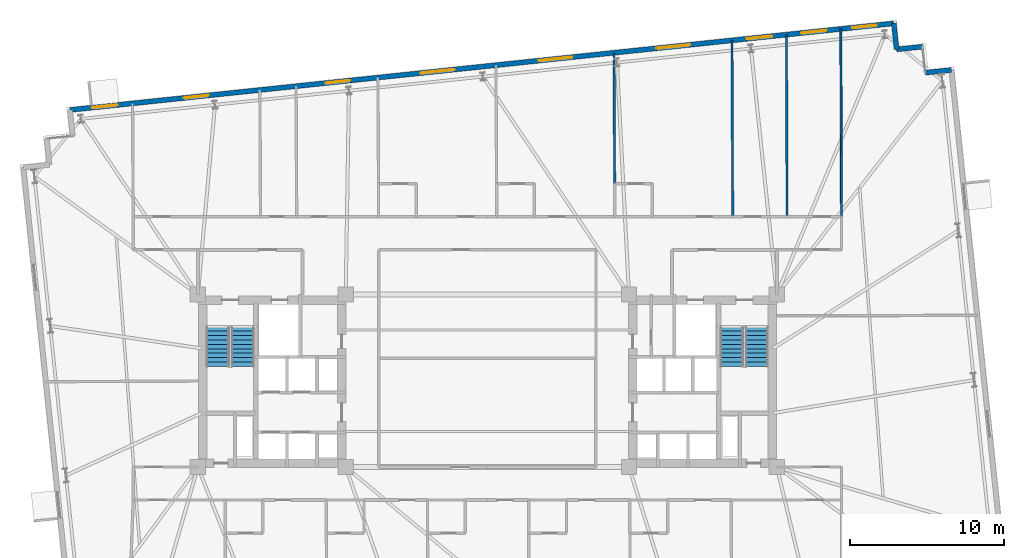
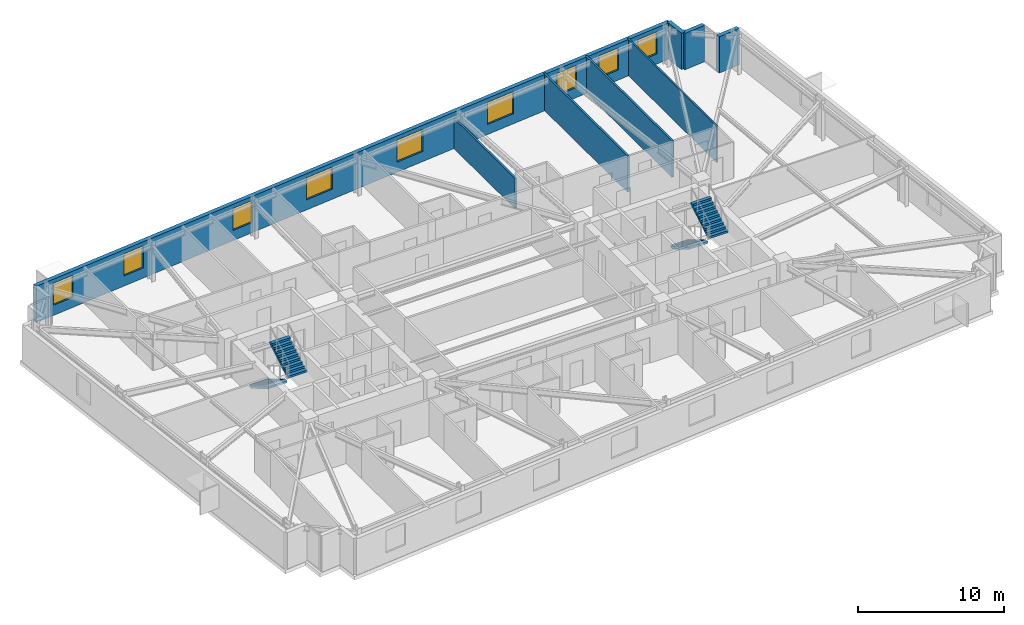
# One storey, part 16 of 18: 9 windows, 8 walls, 4 stair flights, 9 openings, 2 elements without a shape of their own.
"""IFC4 building model written with IfcOpenShell, lengths in metres."""

from ifc_helpers import new_model, si_unit, direction, frame, frame_2d, origin, place, context, subcontext, project, spatial, polyline, rectangle, outline, extrude, material, layer, layer_set, type_object, element, fill, aggregate, save


model = new_model("IFC4")

# Units and contexts
model_context = context("Model", 3, precision=1e-05, world=origin(), true_north=direction((0.0, 1.0)))
body_context = subcontext(model_context, "Body", "Model", "MODEL_VIEW")
ifc_project = project(units=[si_unit("LENGTHUNIT", "METRE"), si_unit("AREAUNIT", "SQUARE_METRE"), si_unit("VOLUMEUNIT", "CUBIC_METRE"), si_unit("PLANEANGLEUNIT", "RADIAN"), si_unit("MASSUNIT", "GRAM", prefix="KILO")], contexts=[model_context])

# Site, building, storey
site_placement = place(None, origin())
site = spatial("IfcSite", under=ifc_project, at=site_placement, CompositionType="ELEMENT")
building_placement = place(site_placement, origin())
building = spatial("IfcBuilding", under=site, at=building_placement, Name="Qobustan Lattice House", CompositionType="ELEMENT")
storey_placement = place(building_placement, frame((0.0, 0.0, 119.199951171875)))
storey = spatial("IfcBuildingStorey", under=building, at=storey_placement, Name="L33", CompositionType="ELEMENT", Elevation=119.199951171875)

# Wall, openings, windows
ifc_material_1 = material(Name="Precast concrete C40/50", Category="concrete")
ifc_layer_1 = layer(ifc_material_1, 0.320068359375)
ifc_layer_set_1 = layer_set([ifc_layer_1], Name="Precast concrete C40/50")
wall_type_1 = type_object("IfcWallType", Name="WAL-EXT-STONE-320", PredefinedType="SOLIDWALL", material=ifc_layer_set_1)
wall_1_placement = place(storey_placement, frame((-27.107421875, 17.585693359375, 0.0), z_axis=(0.0, 0.0, 1.0), x_axis=(0.994521628355, 0.104531003701, 0.0)))
wall_1 = element("IfcWall", 1, at=wall_1_placement, inside=storey, type_object=wall_type_1, Name="L33 exterior limestone-clad wall 10", PredefinedType="SOLIDWALL", context=body_context, shape_type="SweptSolid", body=[
    extrude(rectangle(XDim=53.800048828125, YDim=0.320068359375, at=frame_2d((26.89990234375, 0.0))), origin(), (0.0, 0.0, 1.0), 3.045166015625),
])
opening_1_placement = place(wall_1_placement, frame((1.456787109375, 0.0, 0.85009765625)))
opening_1 = element("IfcOpeningElement", 2, at=opening_1_placement, cuts=wall_1, Name="Opening WN-09", PredefinedType="OPENING", context=body_context, shape_type="SweptSolid", body=[
    extrude(rectangle(XDim=1.64990234375, YDim=1.85009765625, at=frame_2d((0.824951171875, 0.925048828125))), frame((0.0, 0.169921875, 0.0), z_axis=(0.0, -1.0, 0.0), x_axis=(1.0, 0.0, 0.0)), (0.0, 0.0, 1.0), 0.340087890625),
])
opening_2_placement = place(wall_1_placement, frame((7.421142578125, 0.0, 0.85009765625)))
opening_2 = element("IfcOpeningElement", 3, at=opening_2_placement, cuts=wall_1, Name="Opening WN-09", PredefinedType="OPENING", context=body_context, shape_type="SweptSolid", body=[
    extrude(rectangle(XDim=1.64990234375, YDim=1.85009765625, at=frame_2d((0.824951171875, 0.925048828125))), frame((0.0, 0.169921875, 0.0), z_axis=(0.0, -1.0, 0.0), x_axis=(1.0, 0.0, 0.0)), (0.0, 0.0, 1.0), 0.340087890625),
])
opening_3_placement = place(wall_1_placement, frame((16.693115234375, 0.0, 0.85009765625)))
opening_3 = element("IfcOpeningElement", 4, at=opening_3_placement, cuts=wall_1, Name="Opening WN-13", PredefinedType="OPENING", context=body_context, shape_type="SweptSolid", body=[
    extrude(rectangle(XDim=1.60009765625, YDim=1.85009765625, at=frame_2d((0.800048828125, 0.925048828125))), frame((0.0, 0.169921875, 0.0), z_axis=(0.0, -1.0, 0.0), x_axis=(1.0, 0.0, 0.0)), (0.0, 0.0, 1.0), 0.340087890625),
])
opening_4_placement = place(wall_1_placement, frame((22.91796875, 0.0, 0.85009765625)))
opening_4 = element("IfcOpeningElement", 5, at=opening_4_placement, cuts=wall_1, Name="Opening WN-03", PredefinedType="OPENING", context=body_context, shape_type="SweptSolid", body=[
    extrude(rectangle(XDim=2.199951171875, YDim=1.85009765625, at=frame_2d((1.10009765625, 0.925048828125))), frame((0.0, 0.169921875, 0.0), z_axis=(0.0, -1.0, 0.0), x_axis=(1.0, 0.0, 0.0)), (0.0, 0.0, 1.0), 0.340087890625),
])
opening_5_placement = place(wall_1_placement, frame((30.603515625, 0.0, 0.85009765625)))
opening_5 = element("IfcOpeningElement", 6, at=opening_5_placement, cuts=wall_1, Name="Opening WN-03", PredefinedType="OPENING", context=body_context, shape_type="SweptSolid", body=[
    extrude(rectangle(XDim=2.199951171875, YDim=1.85009765625, at=frame_2d((1.10009765625, 0.925048828125))), frame((0.0, 0.169921875, 0.0), z_axis=(0.0, -1.0, 0.0), x_axis=(1.0, 0.0, 0.0)), (0.0, 0.0, 1.0), 0.340087890625),
])
opening_6_placement = place(wall_1_placement, frame((38.289306640625, 0.0, 0.85009765625)))
opening_6 = element("IfcOpeningElement", 7, at=opening_6_placement, cuts=wall_1, Name="Opening WN-03", PredefinedType="OPENING", context=body_context, shape_type="SweptSolid", body=[
    extrude(rectangle(XDim=2.199951171875, YDim=1.85009765625, at=frame_2d((1.10009765625, 0.925048828125))), frame((0.0, 0.169921875, 0.0), z_axis=(0.0, -1.0, 0.0), x_axis=(1.0, 0.0, 0.0)), (0.0, 0.0, 1.0), 0.340087890625),
])
opening_7_placement = place(wall_1_placement, frame((44.20849609375, 0.0, 0.85009765625)))
opening_7 = element("IfcOpeningElement", 8, at=opening_7_placement, cuts=wall_1, Name="Opening WN-09", PredefinedType="OPENING", context=body_context, shape_type="SweptSolid", body=[
    extrude(rectangle(XDim=1.64990234375, YDim=1.85009765625, at=frame_2d((0.824951171875, 0.925048828125))), frame((0.0, 0.169921875, 0.0), z_axis=(0.0, -1.0, 0.0), x_axis=(1.0, 0.0, 0.0)), (0.0, 0.0, 1.0), 0.340087890625),
])
opening_8_placement = place(wall_1_placement, frame((47.771240234375, 0.0, 0.85009765625)))
opening_8 = element("IfcOpeningElement", 9, at=opening_8_placement, cuts=wall_1, Name="Opening WN-09", PredefinedType="OPENING", context=body_context, shape_type="SweptSolid", body=[
    extrude(rectangle(XDim=1.64990234375, YDim=1.85009765625, at=frame_2d((0.824951171875, 0.925048828125))), frame((0.0, 0.169921875, 0.0), z_axis=(0.0, -1.0, 0.0), x_axis=(1.0, 0.0, 0.0)), (0.0, 0.0, 1.0), 0.340087890625),
])
opening_9_placement = place(wall_1_placement, frame((51.07861328125, 0.0, 0.85009765625)))
opening_9 = element("IfcOpeningElement", 10, at=opening_9_placement, cuts=wall_1, Name="Opening WN-13", PredefinedType="OPENING", context=body_context, shape_type="SweptSolid", body=[
    extrude(rectangle(XDim=1.60009765625, YDim=1.85009765625, at=frame_2d((0.800048828125, 0.925048828125))), frame((0.0, 0.169921875, 0.0), z_axis=(0.0, -1.0, 0.0), x_axis=(1.0, 0.0, 0.0)), (0.0, 0.0, 1.0), 0.340087890625),
])
ifc_material_2 = material(Name="Double-glazed low-E aluminium window", Category="aluminium")
window_type_1 = type_object("IfcWindowType", Name="WIN-BED-1600x1850", PartitioningType="SINGLE_PANEL", PredefinedType="WINDOW", material=ifc_material_2)
window_1_placement = place(opening_3_placement, origin())
window_1 = element("IfcWindow", 11, at=window_1_placement, inside=storey, type_object=window_type_1, Name="L33 Laundry utility room window", OverallHeight=1.85009765625, OverallWidth=1.60009765625, PartitioningType="SINGLE_PANEL", PredefinedType="WINDOW", context=body_context, shape_type="SweptSolid", body=[
    extrude(rectangle(XDim=1.60009765625, YDim=1.85009765625, at=frame_2d((0.800048828125, 0.925048828125))), frame((0.0, 0.030029296875, 0.0), z_axis=(0.0, -1.0, 0.0), x_axis=(1.0, 0.0, 0.0)), (0.0, 0.0, 1.0), 0.06005859375),
])
fill(opening_3, window_1)
window_2_placement = place(opening_9_placement, origin())
window_2 = element("IfcWindow", 12, at=window_2_placement, inside=storey, type_object=window_type_1, Name="L33 Music and podcast studio window", OverallHeight=1.85009765625, OverallWidth=1.60009765625, PartitioningType="SINGLE_PANEL", PredefinedType="WINDOW", context=body_context, shape_type="SweptSolid", body=[
    extrude(rectangle(XDim=1.60009765625, YDim=1.85009765625, at=frame_2d((0.800048828125, 0.925048828125))), frame((0.0, 0.030029296875, 0.0), z_axis=(0.0, -1.0, 0.0), x_axis=(1.0, 0.0, 0.0)), (0.0, 0.0, 1.0), 0.06005859375),
])
fill(opening_9, window_2)
ifc_material_3 = material(Name="Double-glazed low-E aluminium window", Category="aluminium")
window_type_2 = type_object("IfcWindowType", Name="WIN-STU-1650x1850", PartitioningType="SINGLE_PANEL", PredefinedType="WINDOW", material=ifc_material_3)
window_3_placement = place(opening_1_placement, origin())
window_3 = element("IfcWindow", 13, at=window_3_placement, inside=storey, type_object=window_type_2, Name="L33 Collaborative tutorial room window", OverallHeight=1.85009765625, OverallWidth=1.64990234375, PartitioningType="SINGLE_PANEL", PredefinedType="WINDOW", context=body_context, shape_type="SweptSolid", body=[
    extrude(rectangle(XDim=1.64990234375, YDim=1.85009765625, at=frame_2d((0.824951171875, 0.925048828125))), frame((0.0, 0.030029296875, 0.0), z_axis=(0.0, -1.0, 0.0), x_axis=(1.0, 0.0, 0.0)), (0.0, 0.0, 1.0), 0.06005859375),
])
fill(opening_1, window_3)
window_4_placement = place(opening_2_placement, origin())
window_4 = element("IfcWindow", 14, at=window_4_placement, inside=storey, type_object=window_type_2, Name="L33 Focus study room N1 window", OverallHeight=1.85009765625, OverallWidth=1.64990234375, PartitioningType="SINGLE_PANEL", PredefinedType="WINDOW", context=body_context, shape_type="SweptSolid", body=[
    extrude(rectangle(XDim=1.64990234375, YDim=1.85009765625, at=frame_2d((0.824951171875, 0.925048828125))), frame((0.0, 0.030029296875, 0.0), z_axis=(0.0, -1.0, 0.0), x_axis=(1.0, 0.0, 0.0)), (0.0, 0.0, 1.0), 0.06005859375),
])
fill(opening_2, window_4)
window_5_placement = place(opening_7_placement, origin())
window_5 = element("IfcWindow", 15, at=window_5_placement, inside=storey, type_object=window_type_2, Name="L33 Focus study room N6A window", OverallHeight=1.85009765625, OverallWidth=1.64990234375, PartitioningType="SINGLE_PANEL", PredefinedType="WINDOW", context=body_context, shape_type="SweptSolid", body=[
    extrude(rectangle(XDim=1.64990234375, YDim=1.85009765625, at=frame_2d((0.824951171875, 0.925048828125))), frame((0.0, 0.030029296875, 0.0), z_axis=(0.0, -1.0, 0.0), x_axis=(1.0, 0.0, 0.0)), (0.0, 0.0, 1.0), 0.06005859375),
])
fill(opening_7, window_5)
window_6_placement = place(opening_8_placement, origin())
window_6 = element("IfcWindow", 16, at=window_6_placement, inside=storey, type_object=window_type_2, Name="L33 Focus study room N6B window", OverallHeight=1.85009765625, OverallWidth=1.64990234375, PartitioningType="SINGLE_PANEL", PredefinedType="WINDOW", context=body_context, shape_type="SweptSolid", body=[
    extrude(rectangle(XDim=1.64990234375, YDim=1.85009765625, at=frame_2d((0.824951171875, 0.925048828125))), frame((0.0, 0.030029296875, 0.0), z_axis=(0.0, -1.0, 0.0), x_axis=(1.0, 0.0, 0.0)), (0.0, 0.0, 1.0), 0.06005859375),
])
fill(opening_8, window_6)
ifc_material_4 = material(Name="Double-glazed low-E aluminium window", Category="aluminium")
window_type_3 = type_object("IfcWindowType", Name="WIN-WIDE-2200x1850", PartitioningType="SINGLE_PANEL", PredefinedType="WINDOW", material=ifc_material_4)
window_7_placement = place(opening_4_placement, origin())
window_7 = element("IfcWindow", 17, at=window_7_placement, inside=storey, type_object=window_type_3, Name="L33 Kitchenette and studio apartment L33-N3 window", OverallHeight=1.85009765625, OverallWidth=2.199951171875, PartitioningType="SINGLE_PANEL", PredefinedType="WINDOW", context=body_context, shape_type="SweptSolid", body=[
    extrude(rectangle(XDim=2.199951171875, YDim=1.85009765625, at=frame_2d((1.10009765625, 0.925048828125))), frame((0.0, 0.030029296875, 0.0), z_axis=(0.0, -1.0, 0.0), x_axis=(1.0, 0.0, 0.0)), (0.0, 0.0, 1.0), 0.06005859375),
])
fill(opening_4, window_7)
window_8_placement = place(opening_5_placement, origin())
window_8 = element("IfcWindow", 18, at=window_8_placement, inside=storey, type_object=window_type_3, Name="L33 Kitchenette and studio apartment L33-N4 window", OverallHeight=1.85009765625, OverallWidth=2.199951171875, PartitioningType="SINGLE_PANEL", PredefinedType="WINDOW", context=body_context, shape_type="SweptSolid", body=[
    extrude(rectangle(XDim=2.199951171875, YDim=1.85009765625, at=frame_2d((1.10009765625, 0.925048828125))), frame((0.0, 0.030029296875, 0.0), z_axis=(0.0, -1.0, 0.0), x_axis=(1.0, 0.0, 0.0)), (0.0, 0.0, 1.0), 0.06005859375),
])
fill(opening_5, window_8)
window_9_placement = place(opening_6_placement, origin())
window_9 = element("IfcWindow", 19, at=window_9_placement, inside=storey, type_object=window_type_3, Name="L33 Kitchenette and studio apartment L33-N5 window", OverallHeight=1.85009765625, OverallWidth=2.199951171875, PartitioningType="SINGLE_PANEL", PredefinedType="WINDOW", context=body_context, shape_type="SweptSolid", body=[
    extrude(rectangle(XDim=2.199951171875, YDim=1.85009765625, at=frame_2d((1.10009765625, 0.925048828125))), frame((0.0, 0.030029296875, 0.0), z_axis=(0.0, -1.0, 0.0), x_axis=(1.0, 0.0, 0.0)), (0.0, 0.0, 1.0), 0.06005859375),
])
fill(opening_6, window_9)

# Walls
for number, where, z_axis, x_axis, name in (
    (20, (26.39794921875, 23.20947265625, 0.0), (0.0, 0.0, 1.0), (0.104550220202, -0.994519608382, 0.0), "L33 exterior limestone-clad wall 11"),
    (21, (26.57568359375, 21.518798828125, 0.0), (0.0, 0.0, 1.0), (0.994534530939, 0.104408173862, 0.0), "L33 exterior limestone-clad wall 12"),
    (22, (28.444091796875, 20.005615234375, 0.0), (0.0, 0.0, 1.0), (0.994519608382, 0.104550220202, 0.0), "L33 exterior limestone-clad wall 14"),
):
    element("IfcWall", number, at=place(storey_placement, frame(where, z_axis=z_axis, x_axis=x_axis)), inside=storey, type_object=wall_type_1, Name=name, PredefinedType="SOLIDWALL", context=body_context, shape_type="SweptSolid", body=[
        extrude(rectangle(XDim=1.699951171875, YDim=0.320068359375, at=frame_2d((0.85009765625, 0.0))), origin(), (0.0, 0.0, 1.0), 3.045166015625),
    ])
ifc_material_5 = material(Name="Lightweight acoustic stud partition", Category="gypsum")
ifc_layer_2 = layer(ifc_material_5, 0.125)
ifc_layer_set_2 = layer_set([ifc_layer_2], Name="Lightweight acoustic stud partition")
wall_type_2 = type_object("IfcWallType", Name="WAL-PART-125", PredefinedType="PARTITIONING", material=ifc_layer_set_2)
wall_2_placement = place(storey_placement, frame((23.0, 10.64990234375, 0.0), z_axis=(0.0, 0.0, 1.0), x_axis=(-0.0036027147, 0.999993510202, 0.0)))
element("IfcWall", 23, at=wall_2_placement, inside=storey, type_object=wall_type_2, Name="L33 interior partition 82", PredefinedType="PARTITIONING", context=body_context, shape_type="SweptSolid", body=[
    extrude(rectangle(XDim=12.19775390625, YDim=0.125, at=frame_2d((6.098876953125, 0.0))), origin(), (0.0, 0.0, 1.0), 3.045166015625),
])
ifc_material_6 = material(Name="Acoustic twin-stud gypsum partition", Category="gypsum")
ifc_layer_3 = layer(ifc_material_6, 0.14990234375)
ifc_layer_set_3 = layer_set([ifc_layer_3], Name="Acoustic twin-stud gypsum partition")
wall_type_3 = type_object("IfcWallType", Name="WAL-PART-150", PredefinedType="PARTITIONING", material=ifc_layer_set_3)
wall_3_placement = place(storey_placement, frame((8.22314453125, 21.299072265625, 0.0), z_axis=(0.0, 0.0, 1.0), x_axis=(0.005170561699, -0.999986632557, 0.0)))
element("IfcWall", 24, at=wall_3_placement, inside=storey, type_object=wall_type_3, Name="L33 interior partition 93", PredefinedType="PARTITIONING", context=body_context, shape_type="SweptSolid", body=[
    extrude(rectangle(XDim=8.4990234375, YDim=0.14990234375, at=frame_2d((4.24951171875, 0.0))), origin(), (0.0, 0.0, 1.0), 2.530029296875),
])
wall_4_placement = place(storey_placement, frame((15.88916015625, 22.104736328125, 0.0), z_axis=(0.0, 0.0, 1.0), x_axis=(0.003836370669, -0.999992641103, 0.0)))
element("IfcWall", 25, at=wall_4_placement, inside=storey, type_object=wall_type_3, Name="L33 interior partition 97", PredefinedType="PARTITIONING", context=body_context, shape_type="SweptSolid", body=[
    extrude(rectangle(XDim=11.454833984375, YDim=0.14990234375, at=frame_2d((5.7275390625, 0.0))), origin(), (0.0, 0.0, 1.0), 3.045166015625),
])
wall_5_placement = place(storey_placement, frame((19.422607421875, 22.476318359375, 0.0), z_axis=(0.0, 0.0, 1.0), x_axis=(0.003715834878, -0.999993096262, 0.0)))
element("IfcWall", 26, at=wall_5_placement, inside=storey, type_object=wall_type_3, Name="L33 interior partition 98", PredefinedType="PARTITIONING", context=body_context, shape_type="SweptSolid", body=[
    extrude(rectangle(XDim=11.826416015625, YDim=0.14990234375, at=frame_2d((5.9130859375, 0.0))), origin(), (0.0, 0.0, 1.0), 3.045166015625),
])

# Stair, stair flights
ifc_material_7 = material(Name="Concrete C40/50", Category="concrete")
stair_type = type_object("IfcStairType", Name="STR-CORE-DOGLEG", PredefinedType="HALF_TURN_STAIR", material=ifc_material_7)
stair_1_placement = place(storey_placement, origin())
stair_1 = element("IfcStair", 27, at=stair_1_placement, inside=storey, type_object=stair_type, Name="L33 West protected exit stair ST-W1", PredefinedType="HALF_TURN_STAIR")
ifc_material_8 = material(Name="Concrete C40/50", Category="concrete")
stair_flight_type = type_object("IfcStairFlightType", Name="SFL-RC-1500", PredefinedType="STRAIGHT", material=ifc_material_8)
stair_flight_1_placement = place(storey_placement, frame((-17.5, 3.5, 0.0), z_axis=(0.0, 0.0, 1.0), x_axis=(0.0, -1.0, 0.0)))
stair_flight_1 = element("IfcStairFlight", 28, at=stair_flight_1_placement, type_object=stair_flight_type, Name="ST-W1 flight 1", NumberOfRisers=10, NumberOfTreads=9, PredefinedType="STRAIGHT", RiserHeight=0.1675, TreadLength=0.285, context=body_context, shape_type="SweptSolid", body=[
    extrude(outline(polyline([(0.0, 0.0), (0.0, 0.16748046875), (0.284912109375, 0.16748046875), (0.284912109375, 0.3349609375), (0.570068359375, 0.3349609375), (0.570068359375, 0.50244140625), (0.85498046875, 0.50244140625), (0.85498046875, 0.669921875), (1.139892578125, 0.669921875), (1.139892578125, 0.83740234375), (1.425048828125, 0.83740234375), (1.425048828125, 1.0048828125), (1.7099609375, 1.0048828125), (1.7099609375, 1.172607421875), (1.9951171875, 1.172607421875), (1.9951171875, 1.340087890625), (2.280029296875, 1.340087890625), (2.280029296875, 1.507568359375), (2.56494140625, 1.507568359375), (2.56494140625, 1.675048828125), (2.56494140625, 1.333740234375), (0.2958984375, 0.0), (0.0, 0.0)])), frame((0.0, 0.75, 0.0), z_axis=(0.0, -1.0, 0.0), x_axis=(1.0, 0.0, 0.0)), (0.0, 0.0, 1.0), 1.5),
])
stair_flight_2_placement = place(storey_placement, frame((-15.8798828125, 0.93505859375, 1.675048828125), z_axis=(0.0, 0.0, 1.0), x_axis=(0.0, 1.0, 0.0)))
stair_flight_2 = element("IfcStairFlight", 29, at=stair_flight_2_placement, type_object=stair_flight_type, Name="ST-W1 flight 2", NumberOfRisers=10, NumberOfTreads=9, PredefinedType="STRAIGHT", RiserHeight=0.1675, TreadLength=0.285, context=body_context, shape_type="SweptSolid", body=[
    extrude(outline(polyline([(0.0, 0.0), (0.0, 0.16748046875), (0.284912109375, 0.16748046875), (0.284912109375, 0.3349609375), (0.570068359375, 0.3349609375), (0.570068359375, 0.50244140625), (0.85498046875, 0.50244140625), (0.85498046875, 0.669921875), (1.139892578125, 0.669921875), (1.139892578125, 0.83740234375), (1.425048828125, 0.83740234375), (1.425048828125, 1.0048828125), (1.7099609375, 1.0048828125), (1.7099609375, 1.172607421875), (1.9951171875, 1.172607421875), (1.9951171875, 1.340087890625), (2.280029296875, 1.340087890625), (2.280029296875, 1.507568359375), (2.56494140625, 1.507568359375), (2.56494140625, 1.675048828125), (2.56494140625, 1.333740234375), (0.2958984375, 0.0), (0.0, 0.0)])), frame((0.0, 0.75, 0.0), z_axis=(0.0, -1.0, 0.0), x_axis=(1.0, 0.0, 0.0)), (0.0, 0.0, 1.0), 1.5),
])
aggregate(stair_1, [stair_flight_1, stair_flight_2])

stair_2_placement = place(storey_placement, origin())
stair_2 = element("IfcStair", 30, at=stair_2_placement, inside=storey, type_object=stair_type, Name="L33 East protected exit stair ST-E1", PredefinedType="HALF_TURN_STAIR")
stair_flight_3_placement = place(storey_placement, frame((15.8798828125, 3.5, 0.0), z_axis=(0.0, 0.0, 1.0), x_axis=(0.0, -1.0, 0.0)))
stair_flight_3 = element("IfcStairFlight", 31, at=stair_flight_3_placement, type_object=stair_flight_type, Name="ST-E1 flight 1", NumberOfRisers=10, NumberOfTreads=9, PredefinedType="STRAIGHT", RiserHeight=0.1675, TreadLength=0.285, context=body_context, shape_type="SweptSolid", body=[
    extrude(outline(polyline([(0.0, 0.0), (0.0, 0.16748046875), (0.284912109375, 0.16748046875), (0.284912109375, 0.3349609375), (0.570068359375, 0.3349609375), (0.570068359375, 0.50244140625), (0.85498046875, 0.50244140625), (0.85498046875, 0.669921875), (1.139892578125, 0.669921875), (1.139892578125, 0.83740234375), (1.425048828125, 0.83740234375), (1.425048828125, 1.0048828125), (1.7099609375, 1.0048828125), (1.7099609375, 1.172607421875), (1.9951171875, 1.172607421875), (1.9951171875, 1.340087890625), (2.280029296875, 1.340087890625), (2.280029296875, 1.507568359375), (2.56494140625, 1.507568359375), (2.56494140625, 1.675048828125), (2.56494140625, 1.333740234375), (0.2958984375, 0.0), (0.0, 0.0)])), frame((0.0, 0.75, 0.0), z_axis=(0.0, -1.0, 0.0), x_axis=(1.0, 0.0, 0.0)), (0.0, 0.0, 1.0), 1.5),
])
stair_flight_4_placement = place(storey_placement, frame((17.5, 0.93505859375, 1.675048828125), z_axis=(0.0, 0.0, 1.0), x_axis=(0.0, 1.0, 0.0)))
stair_flight_4 = element("IfcStairFlight", 32, at=stair_flight_4_placement, type_object=stair_flight_type, Name="ST-E1 flight 2", NumberOfRisers=10, NumberOfTreads=9, PredefinedType="STRAIGHT", RiserHeight=0.1675, TreadLength=0.285, context=body_context, shape_type="SweptSolid", body=[
    extrude(outline(polyline([(0.0, 0.0), (0.0, 0.16748046875), (0.284912109375, 0.16748046875), (0.284912109375, 0.3349609375), (0.570068359375, 0.3349609375), (0.570068359375, 0.50244140625), (0.85498046875, 0.50244140625), (0.85498046875, 0.669921875), (1.139892578125, 0.669921875), (1.139892578125, 0.83740234375), (1.425048828125, 0.83740234375), (1.425048828125, 1.0048828125), (1.7099609375, 1.0048828125), (1.7099609375, 1.172607421875), (1.9951171875, 1.172607421875), (1.9951171875, 1.340087890625), (2.280029296875, 1.340087890625), (2.280029296875, 1.507568359375), (2.56494140625, 1.507568359375), (2.56494140625, 1.675048828125), (2.56494140625, 1.333740234375), (0.2958984375, 0.0), (0.0, 0.0)])), frame((0.0, 0.75, 0.0), z_axis=(0.0, -1.0, 0.0), x_axis=(1.0, 0.0, 0.0)), (0.0, 0.0, 1.0), 1.5),
])
aggregate(stair_2, [stair_flight_3, stair_flight_4])

save(model, "model.ifc")
